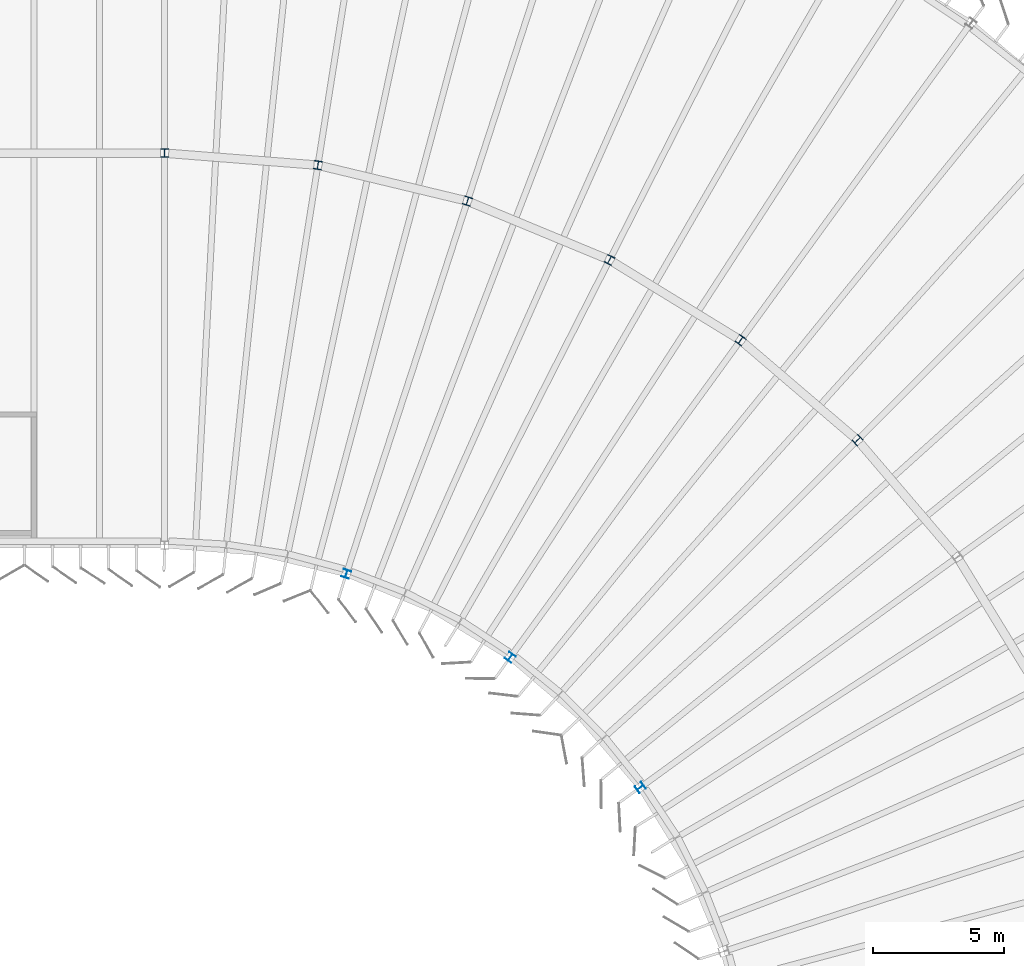
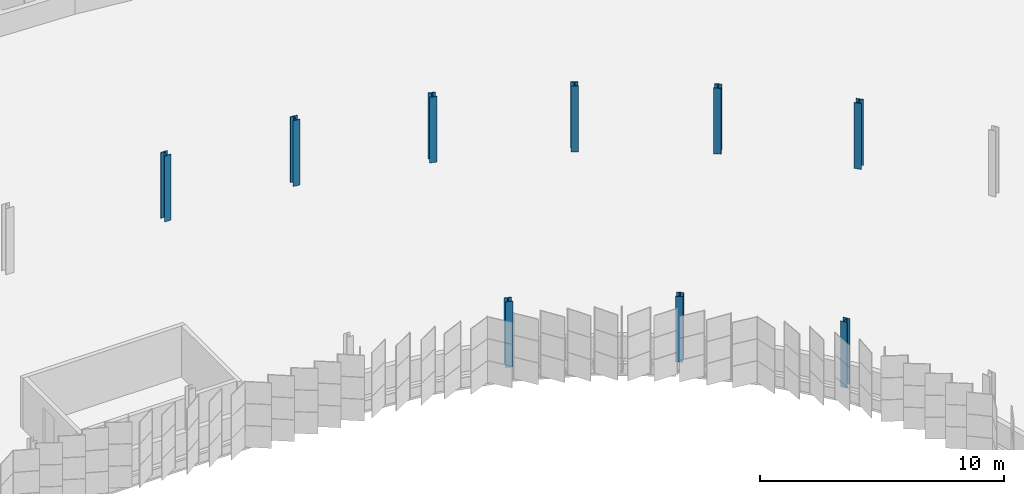
# One storey, part 21 of 199: 9 columns.
"""IFC4 building model written with IfcOpenShell, lengths in metres."""

from ifc_helpers import new_model, si_unit, direction, frame, origin, origin_2d, place, context, subcontext, project, spatial, i_section, extrude, material, material_profile, profile_set, type_object, element, save


model = new_model("IFC4")

# Units and contexts
model_context = context("Model", 3, precision=1e-05, world=origin(), true_north=direction((0.0, 1.0)))
body_context = subcontext(model_context, "Body", "Model", "MODEL_VIEW")
ifc_project = project(units=[si_unit("LENGTHUNIT", "METRE"), si_unit("AREAUNIT", "SQUARE_METRE"), si_unit("VOLUMEUNIT", "CUBIC_METRE"), si_unit("PLANEANGLEUNIT", "RADIAN"), si_unit("MASSUNIT", "GRAM", prefix="KILO")], contexts=[model_context])

# Site, building, storey
site_placement = place(None, origin())
site = spatial("IfcSite", under=ifc_project, at=site_placement, CompositionType="ELEMENT")
building_placement = place(site_placement, origin())
building = spatial("IfcBuilding", under=site, at=building_placement, Name="Parallax Yard Mobility Hub", CompositionType="ELEMENT")
storey_placement = place(building_placement, frame((0.0, 0.0, 9.89990234375)))
storey = spatial("IfcBuildingStorey", under=building, at=storey_placement, Name="L03", CompositionType="ELEMENT", Elevation=9.89990234375)

# Columns
ifc_material = material(Name="Steel ASTM A992", Category="steel")
ifc_material_profile_1 = material_profile(ifc_material, i_section(OverallWidth=0.31005859375, OverallDepth=0.327880859375, WebThickness=0.015380859375, FlangeThickness=0.025146484375, FilletRadius=0.015380859375, at=origin_2d()), Name="W310x158")
ifc_profile_set_1 = profile_set([ifc_material_profile_1], Name="Steel ASTM A992")
column_type_1 = type_object("IfcColumnType", Name="W310x158 column", PredefinedType="COLUMN", material=ifc_profile_set_1)
for number, where, z_axis, x_axis, name in (
    (1, (172.5, 127.5, 0.0), (0.0, 0.0, 1.0), (1.0, 0.0, 0.0), "Column C6 level L03 at T/24 of ramped parking decks"),
    (2, (178.3662109375, 127.038330078125, 0.0), (0.0, 0.0, 1.0), (-0.987688340595, 0.15643446504, 0.0), "Column C6 level L03 at RB/R1 of ramped parking decks"),
    (3, (184.088134765625, 125.66455078125, 0.0), (0.0, 0.0, 1.0), (-0.951056516295, 0.309016994375, 0.0), "Column C6 level L03 at RB/R2 of ramped parking decks"),
    (4, (189.524658203125, 123.41259765625, 0.0), (0.0, 0.0, 1.0), (-0.891006524188, 0.45399049974, 0.0), "Column C6 level L03 at RB/R3 of ramped parking decks"),
    (5, (194.5419921875, 120.338134765625, 0.0), (0.0, 0.0, 1.0), (-0.809016994375, 0.587785252292, 0.0), "Column C6 level L03 at RB/R4 of ramped parking decks"),
    (6, (199.0166015625, 116.5166015625, 0.0), (0.0, 0.0, 1.0), (-0.707106781187, 0.707106781187, 0.0), "Column C6 level L03 at RB/R5 of ramped parking decks"),
):
    element("IfcColumn", number, at=place(storey_placement, frame(where, z_axis=z_axis, x_axis=x_axis)), inside=storey, type_object=column_type_1, Name=name, PredefinedType="COLUMN", context=body_context, shape_type="SweptSolid", body=[
        extrude(i_section(OverallWidth=0.31005859375, OverallDepth=0.327880859375, WebThickness=0.015380859375, FlangeThickness=0.025146484375, FilletRadius=0.015380859375, at=origin_2d()), origin(), (0.0, 0.0, 1.0), 3.300048828125),
    ])
ifc_material_profile_2 = material_profile(ifc_material, i_section(OverallWidth=0.304931640625, OverallDepth=0.306884765625, WebThickness=0.010009765625, FlangeThickness=0.015380859375, FilletRadius=0.01513671875, at=origin_2d()), Name="W310x97")
ifc_profile_set_2 = profile_set([ifc_material_profile_2], Name="Steel ASTM A992")
column_type_2 = type_object("IfcColumnType", Name="W310x97 column", PredefinedType="COLUMN", material=ifc_profile_set_2)
for number, where, z_axis, x_axis, name in (
    (7, (179.452880859375, 111.398681640625, 0.0), (0.0, 0.0, 1.0), (-0.951056516295, 0.309016994375, 0.0), "Column C1 level L03 at RA/R2 of ramped parking decks"),
    (8, (185.72509765625, 108.202880859375, 0.0), (0.0, 0.0, 1.0), (-0.809016994375, 0.587785252292, 0.0), "Column C1 level L03 at RA/R4 of ramped parking decks"),
    (9, (190.702880859375, 103.22509765625, 0.0), (0.0, 0.0, 1.0), (-0.587785252292, 0.809016994375, 0.0), "Column C1 level L03 at RA/R6 of ramped parking decks"),
):
    element("IfcColumn", number, at=place(storey_placement, frame(where, z_axis=z_axis, x_axis=x_axis)), inside=storey, type_object=column_type_2, Name=name, PredefinedType="COLUMN", context=body_context, shape_type="SweptSolid", body=[
        extrude(i_section(OverallWidth=0.304931640625, OverallDepth=0.306884765625, WebThickness=0.010009765625, FlangeThickness=0.015380859375, FilletRadius=0.01513671875, at=origin_2d()), origin(), (0.0, 0.0, 1.0), 3.300048828125),
    ])

save(model, "model.ifc")
